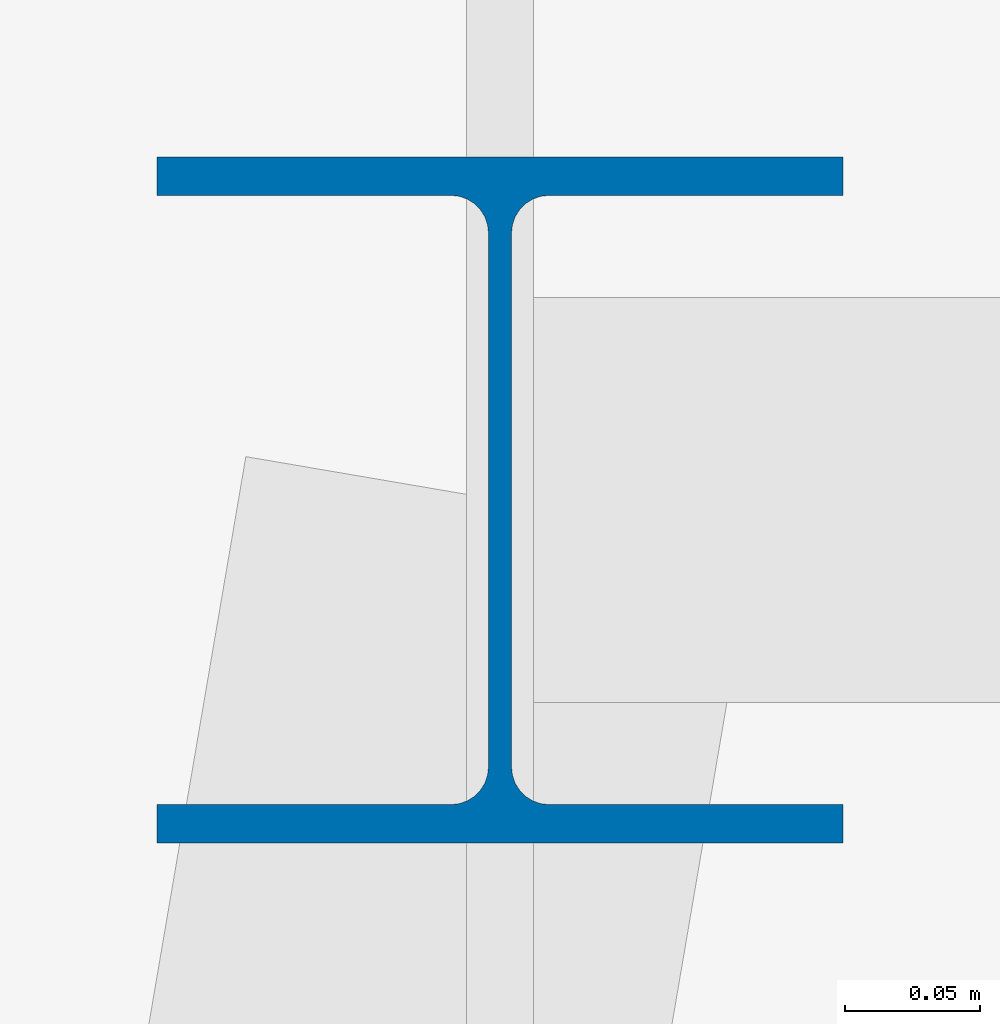
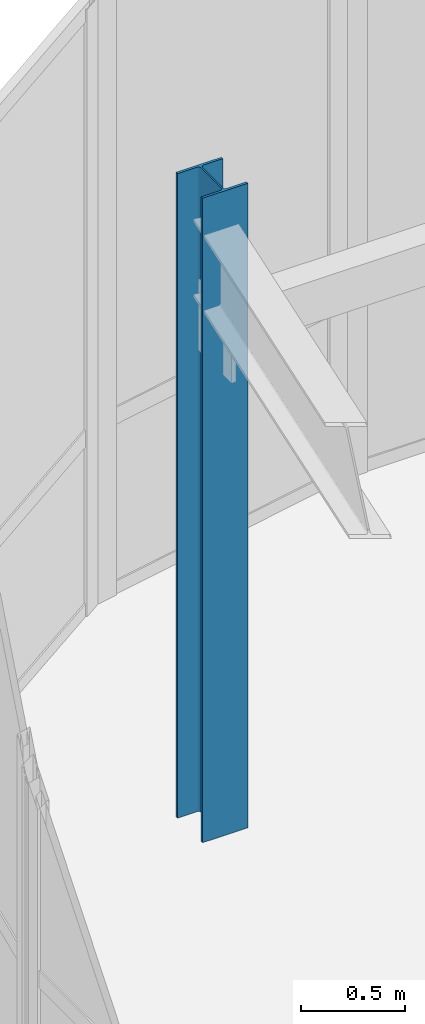
# One storey, part 4 of 36: 1 column.
"""IFC4 building model written with IfcOpenShell, lengths in metres."""

from ifc_helpers import new_model, si_unit, direction, frame, origin, origin_2d, place, context, subcontext, project, spatial, i_section, extrude, source, transform, mapped, material, material_profile, profile_set, type_object, type_shapes, element, save


model = new_model("IFC4")

# Units and contexts
model_context = context("Model", 3, precision=1e-05, world=origin(), true_north=direction((0.0, 1.0)))
body_context = subcontext(model_context, "Body", "Model", "MODEL_VIEW")
ifc_project = project(units=[si_unit("LENGTHUNIT", "METRE"), si_unit("AREAUNIT", "SQUARE_METRE"), si_unit("VOLUMEUNIT", "CUBIC_METRE"), si_unit("PLANEANGLEUNIT", "RADIAN"), si_unit("MASSUNIT", "GRAM", prefix="KILO")], contexts=[model_context])

# Site, building, storey
site_placement = place(None, origin())
site = spatial("IfcSite", under=ifc_project, at=site_placement, CompositionType="ELEMENT")
building_placement = place(site_placement, origin())
building = spatial("IfcBuilding", under=site, at=building_placement, Name="Tolvann Quenvar Hotel", CompositionType="ELEMENT")
storey_placement = place(building_placement, frame((0.0, 0.0, 306.14990234375)))
storey = spatial("IfcBuildingStorey", under=building, at=storey_placement, Name="L81", CompositionType="ELEMENT", Elevation=306.14990234375)

# Column
ifc_material = material(Name="Steel Grade 350", Category="steel")
ifc_material_profile = material_profile(ifc_material, i_section(OverallWidth=0.25390625, OverallDepth=0.25390625, WebThickness=0.008544921875, FlangeThickness=0.01416015625, FilletRadius=0.013916015625, at=origin_2d()), Name="250UC73")
ifc_profile_set = profile_set([ifc_material_profile], Name="Steel Grade 350")
column_type = type_object("IfcColumnType", Name="COL_250UC73", PredefinedType="COLUMN", material=ifc_profile_set)
shared_shape = source(origin(), body_context, "Body", "SweptSolid", [
    extrude(i_section(OverallWidth=0.25390625, OverallDepth=0.25390625, WebThickness=0.008544921875, FlangeThickness=0.01416015625, FilletRadius=0.013916015625, at=origin_2d()), origin(), (0.0, 0.0, 1.0), 3.800048828125),
])
type_shapes(column_type, [shared_shape])
column_placement = place(storey_placement, frame((5.800048828125, 41.89990234375, 0.0), z_axis=(0.0, 0.0, 1.0), x_axis=(1.0, 0.0, 0.0)))
element("IfcColumn", 1, at=column_placement, inside=storey, type_object=column_type, Name="Column BN (L81)", PredefinedType="COLUMN", context=body_context, shape_type="MappedRepresentation", body=[
    mapped(shared_shape, transform((0.0, 0.0, 0.0), x_axis=(1.0, 0.0, 0.0), y_axis=(0.0, 1.0, 0.0), z_axis=(0.0, 0.0, 1.0), scale=1.0)),
])

save(model, "model.ifc")
